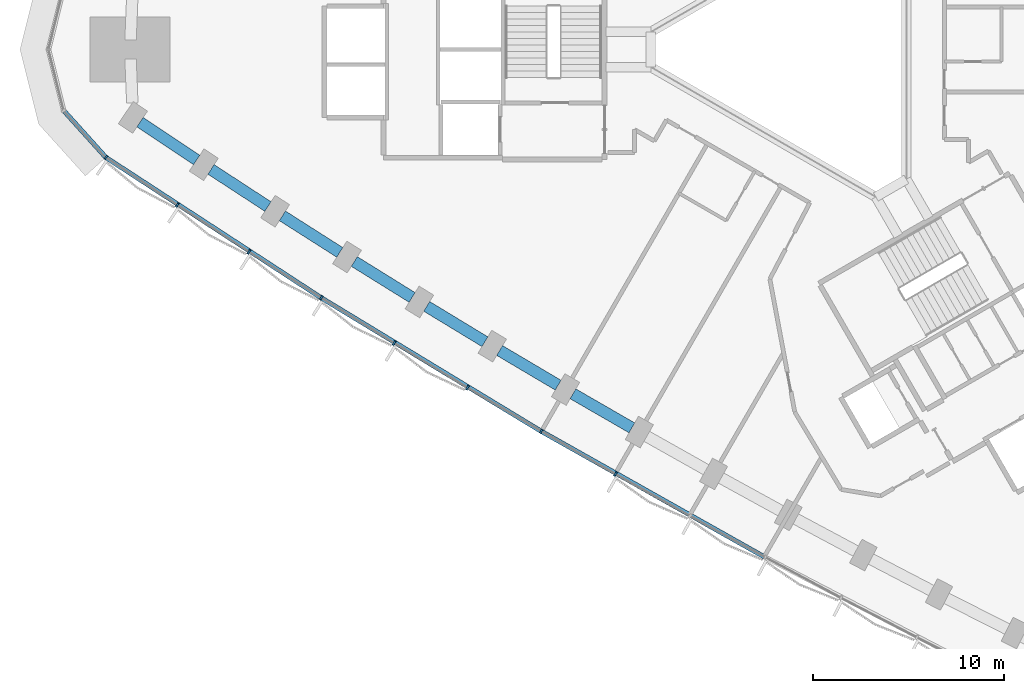
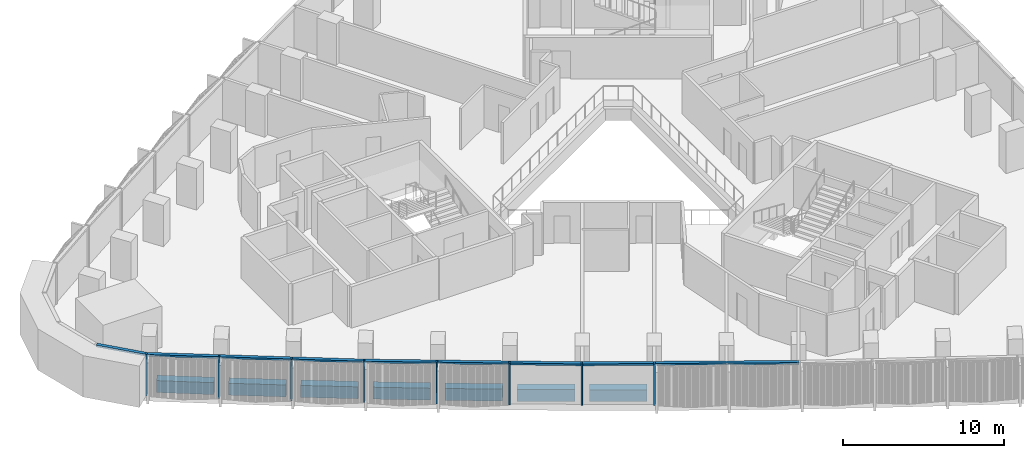
# One storey, part 2 of 15: 12 members, 7 beams, 2 elements without a shape of their own.
"""IFC4 building model written with IfcOpenShell, lengths in metres."""

import ifcopenshell
import ifcopenshell.guid

model = None  # the IFC model being written
_history = None  # IfcOwnerHistory: only IFC2X3 demands one
_inside = {}  # id of a spatial element -> (the spatial element, [elements in it])
_under = {}  # id of a project, library or spatial element -> (it, [spatial elements below it])
_declared = {}  # id of a project -> (the project, [libraries it declares])
_typed = {}  # id of a type object -> (the type object, [elements of that type])
_made_of = {}  # id of a material, layer set ... -> (it, [elements and type objects made of it])


def new_model(schema):
    """Start an empty IFC model of exactly this schema.

    Asked for "IFC4X3", IfcOpenShell would pick the latest addendum, in which some entities
    have other attributes; the version numbers below select the first issue.
    IFC2X3 requires an IfcOwnerHistory on every rooted entity: one is made here for all.
    """
    global model, _history
    if schema == "IFC4X3":
        model = ifcopenshell.file(schema_version=(4, 3, 0, 0))
    else:
        model = ifcopenshell.file(schema=schema)
    _inside.clear()
    _under.clear()
    _declared.clear()
    _typed.clear()
    _made_of.clear()
    _history = None
    if model.schema == "IFC2X3":
        org = make("IfcOrganization", Name="unknown")
        user = make(
            "IfcPersonAndOrganization",
            ThePerson=make("IfcPerson", FamilyName="unknown"),
            TheOrganization=org,
        )
        app = make(
            "IfcApplication",
            ApplicationDeveloper=org,
            Version="unknown",
            ApplicationFullName="unknown",
            ApplicationIdentifier="unknown",
        )
        _history = make(
            "IfcOwnerHistory",
            OwningUser=user,
            OwningApplication=app,
            ChangeAction="ADDED",
            CreationDate=0,
        )
    return model


def make(cls, **values):
    """One entity of the class cls with the attributes given. An attribute that is None is left unset."""
    return model.create_entity(
        cls, **{name: value for name, value in values.items() if value is not None}
    )


def rooted(cls, **values):
    """An entity with a GlobalId (a new one), such as an element, a storey or a relation."""
    return make(cls, GlobalId=ifcopenshell.guid.new(), OwnerHistory=_history, **values)


def si_unit(unit_type, name, prefix=None):
    """IfcSIUnit, for example si_unit("LENGTHUNIT", "METRE", prefix="MILLI")."""
    return make("IfcSIUnit", UnitType=unit_type, Prefix=prefix, Name=name)


def assignment(units):
    """IfcUnitAssignment: the units of a project."""
    return None if units is None else make("IfcUnitAssignment", Units=units)


def point(xyz):
    """IfcCartesianPoint."""
    return None if xyz is None else make("IfcCartesianPoint", Coordinates=xyz)


def direction(xyz):
    """IfcDirection."""
    return None if xyz is None else make("IfcDirection", DirectionRatios=xyz)


def frame(location, z_axis=None, x_axis=None):
    """IfcAxis2Placement3D, a coordinate frame: its origin and axes. An axis left out is left unset."""
    return make(
        "IfcAxis2Placement3D",
        Location=point(location),
        Axis=direction(z_axis),
        RefDirection=direction(x_axis),
    )


def frame_2d(location, x_axis=None):
    """IfcAxis2Placement2D, a coordinate frame in the plane: its origin and x axis."""
    return make(
        "IfcAxis2Placement2D", Location=point(location), RefDirection=direction(x_axis)
    )


def origin():
    """The frame at (0, 0, 0) with its axes left unset."""
    return frame((0.0, 0.0, 0.0))


def origin_2d():
    """The frame at (0, 0) in the plane with its x axis left unset."""
    return frame_2d((0.0, 0.0))


def place(relative_to, where):
    """IfcLocalPlacement: puts the frame where relative to a parent placement (None: the world)."""
    return make(
        "IfcLocalPlacement", PlacementRelTo=relative_to, RelativePlacement=where
    )


def context(
    kind, dimensions, precision=None, world=None, true_north=None, identifier=None
):
    """IfcGeometricRepresentationContext, for example the 3D "Model" context."""
    return make(
        "IfcGeometricRepresentationContext",
        ContextIdentifier=identifier,
        ContextType=kind,
        CoordinateSpaceDimension=dimensions,
        Precision=precision,
        WorldCoordinateSystem=world,
        TrueNorth=true_north,
    )


def subcontext(parent, identifier, kind, view, scale=None):
    """IfcGeometricRepresentationSubContext, for example "Body" below "Model"."""
    return make(
        "IfcGeometricRepresentationSubContext",
        ContextIdentifier=identifier,
        ContextType=kind,
        ParentContext=parent,
        TargetScale=scale,
        TargetView=view,
    )


def project(units=None, contexts=None):
    """IfcProject with its units and contexts."""
    return rooted(
        "IfcProject",
        Name="project",
        RepresentationContexts=contexts,
        UnitsInContext=assignment(units),
    )


def spatial(cls, under=None, at=None, **own):
    """A site, building, storey or space (cls), placed at a placement, below another one or the project."""
    s = rooted(cls, ObjectPlacement=at, **own)
    if under is not None:
        _under.setdefault(under.id(), (under, []))[1].append(s)
    return s


def profile(cls, at=None, kind="AREA", **sizes):
    """A parametric profile (cls). Its sizes go by their IFC names, for example OverallWidth=200.0."""
    return make(cls, ProfileType=kind, Position=at, **sizes)


def rectangle(**sizes):
    """IfcRectangleProfileDef."""
    return profile("IfcRectangleProfileDef", **sizes)


def extrude(swept, where, along, depth):
    """IfcExtrudedAreaSolid: the profile swept, set in the frame where, extruded along a direction by depth."""
    return make(
        "IfcExtrudedAreaSolid",
        SweptArea=swept,
        Position=where,
        ExtrudedDirection=direction(along),
        Depth=depth,
    )


def shape(context_of_items, identifier, shape_type, items):
    """IfcShapeRepresentation: the items that make up one representation, for example the "Body"."""
    return make(
        "IfcShapeRepresentation",
        ContextOfItems=context_of_items,
        RepresentationIdentifier=identifier,
        RepresentationType=shape_type,
        Items=items,
    )


def material(Name=None, Category=None):
    """IfcMaterial."""
    return make("IfcMaterial", Name=Name, Category=Category)


def material_profile(
    of_material, cross_section, Name=None, Category=None, Priority=None
):
    """IfcMaterialProfile: a cross section and its material."""
    return make(
        "IfcMaterialProfile",
        Name=Name,
        Material=of_material,
        Profile=cross_section,
        Priority=Priority,
        Category=Category,
    )


def profile_set(profiles, Name=None, composite=None):
    """IfcMaterialProfileSet."""
    return make(
        "IfcMaterialProfileSet",
        Name=Name,
        MaterialProfiles=profiles,
        CompositeProfile=composite,
    )


def made_of(thing, what):
    """Note that an element or type object is made of a material, layer set ...; save() writes the relation."""
    if what is not None:
        _made_of.setdefault(what.id(), (what, []))[1].append(thing)
    return thing


def type_object(cls, material=None, **own):
    """A type object (cls), such as IfcWallType, which elements share."""
    return made_of(rooted(cls, **own), material)


def element(
    cls,
    number,
    at=None,
    inside=None,
    cuts=None,
    type_object=None,
    material=None,
    context=None,
    identifier="Body",
    shape_type=None,
    held_by="IfcProductDefinitionShape",
    body=None,
    shapes=None,
    **own,
):
    """One element of the class cls, such as IfcWall. Its Tag is "e" and its number.

    at: its placement. inside: the storey or other place that contains it. cuts: it is an
    opening in that element (IfcRelVoidsElement). A single representation is given by context,
    identifier, shape_type and body (its items); several are given by shapes. held_by: the class
    of the entity that holds the representations. save() writes the other relations.
    """
    e = rooted(cls, Tag="e%d" % number, ObjectPlacement=at, **own)
    if body is not None:
        shapes = [shape(context, identifier, shape_type, body)]
    if shapes is not None:
        e.Representation = make(held_by, Representations=shapes)
    if inside is not None:
        _inside.setdefault(inside.id(), (inside, []))[1].append(e)
    if cuts is not None:
        rooted(
            "IfcRelVoidsElement", RelatingBuildingElement=cuts, RelatedOpeningElement=e
        )
    if type_object is not None:
        _typed.setdefault(type_object.id(), (type_object, []))[1].append(e)
    return made_of(e, material)


def aggregate(whole, parts):
    """IfcRelAggregates: a whole, such as a stair, and the parts it consists of."""
    return rooted("IfcRelAggregates", RelatingObject=whole, RelatedObjects=parts)


def save(model, path):
    """Write the relations noted so far, then the file.

    IfcRelAggregates (storeys below a building ...), IfcRelContainedInSpatialStructure (elements
    in a storey), IfcRelDefinesByType, IfcRelAssociatesMaterial and IfcRelDeclares: one each for
    every whole, place, type object, material and project.
    """
    for whole, parts in _under.values():
        aggregate(whole, parts)
    for where, things in _inside.values():
        rooted(
            "IfcRelContainedInSpatialStructure",
            RelatedElements=things,
            RelatingStructure=where,
        )
    for kind, things in _typed.values():
        rooted("IfcRelDefinesByType", RelatedObjects=things, RelatingType=kind)
    for what, things in _made_of.values():
        rooted("IfcRelAssociatesMaterial", RelatedObjects=things, RelatingMaterial=what)
    for by, libraries in _declared.values():
        rooted("IfcRelDeclares", RelatingContext=by, RelatedDefinitions=libraries)
    model.write(path)


model = new_model("IFC4")

# Units and contexts
model_context = context("Model", 3, precision=1e-05, world=origin(), true_north=direction((0.0, 1.0)))
body_context = subcontext(model_context, "Body", "Model", "MODEL_VIEW")
ifc_project = project(units=[si_unit("LENGTHUNIT", "METRE"), si_unit("AREAUNIT", "SQUARE_METRE"), si_unit("VOLUMEUNIT", "CUBIC_METRE"), si_unit("PLANEANGLEUNIT", "RADIAN"), si_unit("MASSUNIT", "GRAM", prefix="KILO")], contexts=[model_context])

# Site, building, storey
site_placement = place(None, origin())
site = spatial("IfcSite", under=ifc_project, at=site_placement, CompositionType="ELEMENT")
building_placement = place(site_placement, origin())
building = spatial("IfcBuilding", under=site, at=building_placement, Name="Tamra Quay Hotel Tower", CompositionType="ELEMENT")
storey_placement = place(building_placement, frame((0.0, 0.0, 63.800048828125)))
storey = spatial("IfcBuildingStorey", under=building, at=storey_placement, Name="L14", CompositionType="ELEMENT", Elevation=63.800048828125)

# Curtain wall, members
ifc_material_1 = material(Name="Aluminium 6063 anodised dark grey", Category="aluminium")
curtain_wall_type_1 = type_object("IfcCurtainWallType", Name="CW3 CURTAIN WALL", PredefinedType="NOTDEFINED", material=ifc_material_1)
curtain_wall_1_placement = place(storey_placement, origin())
curtain_wall_1 = element("IfcCurtainWall", 1, at=curtain_wall_1_placement, inside=storey, type_object=curtain_wall_type_1, Name="CW3 south-west face L14", PredefinedType="NOTDEFINED")
ifc_material_profile_1 = material_profile(ifc_material_1, rectangle(XDim=0.239990234375, YDim=0.10009765625, at=origin_2d()), Name="MULLION 100X240")
ifc_profile_set_1 = profile_set([ifc_material_profile_1], Name="Aluminium 6063 anodised dark grey")
member_type_1 = type_object("IfcMemberType", Name="MULLION CW3 Z1", PredefinedType="MULLION", material=ifc_profile_set_1)
member_1_placement = place(storey_placement, frame((-37.001708984375, -5.6669921875, 0.0), z_axis=(0.0, 0.0, 1.0), x_axis=(-0.654196739281, -0.756324418695, 0.0)))
member_1 = element("IfcMember", 2, at=member_1_placement, type_object=member_type_1, Name="CW3 mullion L14.SW.1", PredefinedType="MULLION", context=body_context, shape_type="SweptSolid", body=[
    extrude(rectangle(XDim=0.239990234375, YDim=0.10009765625, at=origin_2d()), origin(), (0.0, 0.0, 1.0), 3.125),
])
member_2_placement = place(storey_placement, frame((-33.261474609375, -8.162841796875, 0.0), z_axis=(0.0, 0.0, 1.0), x_axis=(-0.550591210923, -0.834775010679, 0.0)))
member_2 = element("IfcMember", 3, at=member_2_placement, type_object=member_type_1, Name="CW3 mullion L14.SW.2", PredefinedType="MULLION", context=body_context, shape_type="SweptSolid", body=[
    extrude(rectangle(XDim=0.239990234375, YDim=0.10009765625, at=origin_2d()), origin(), (0.0, 0.0, 1.0), 3.125),
])
member_3_placement = place(storey_placement, frame((-29.49267578125, -10.61962890625, 0.0), z_axis=(0.0, 0.0, 1.0), x_axis=(-0.541560699791, -0.840661649204, 0.0)))
member_3 = element("IfcMember", 4, at=member_3_placement, type_object=member_type_1, Name="CW3 mullion L14.SW.3", PredefinedType="MULLION", context=body_context, shape_type="SweptSolid", body=[
    extrude(rectangle(XDim=0.239990234375, YDim=0.10009765625, at=origin_2d()), origin(), (0.0, 0.0, 1.0), 3.125),
])
member_4_placement = place(storey_placement, frame((-25.698974609375, -13.03466796875, 0.0), z_axis=(0.0, 0.0, 1.0), x_axis=(-0.532446769932, -0.846463488397, 0.0)))
member_4 = element("IfcMember", 5, at=member_4_placement, type_object=member_type_1, Name="CW3 mullion L14.SW.4", PredefinedType="MULLION", context=body_context, shape_type="SweptSolid", body=[
    extrude(rectangle(XDim=0.239990234375, YDim=0.10009765625, at=origin_2d()), origin(), (0.0, 0.0, 1.0), 3.125),
])
member_5_placement = place(storey_placement, frame((-21.879150390625, -15.40869140625, 0.0), z_axis=(0.0, 0.0, 1.0), x_axis=(-0.523257107809, -0.852174864173, 0.0)))
member_5 = element("IfcMember", 6, at=member_5_placement, type_object=member_type_1, Name="CW3 mullion L14.SW.5", PredefinedType="MULLION", context=body_context, shape_type="SweptSolid", body=[
    extrude(rectangle(XDim=0.239990234375, YDim=0.10009765625, at=origin_2d()), origin(), (0.0, 0.0, 1.0), 3.125),
])
member_6_placement = place(storey_placement, frame((-18.03271484375, -17.741943359375, 0.0), z_axis=(0.0, 0.0, 1.0), x_axis=(-0.514004208519, -0.857787662318, 0.0)))
member_6 = element("IfcMember", 7, at=member_6_placement, type_object=member_type_1, Name="CW3 mullion L14.SW.6", PredefinedType="MULLION", context=body_context, shape_type="SweptSolid", body=[
    extrude(rectangle(XDim=0.239990234375, YDim=0.10009765625, at=origin_2d()), origin(), (0.0, 0.0, 1.0), 3.125),
])
member_7_placement = place(storey_placement, frame((-14.162353515625, -20.03271484375, 0.0), z_axis=(0.0, 0.0, 1.0), x_axis=(-0.504684780346, -0.863303696556, 0.0)))
member_7 = element("IfcMember", 8, at=member_7_placement, type_object=member_type_1, Name="CW3 mullion L14.SW.7", PredefinedType="MULLION", context=body_context, shape_type="SweptSolid", body=[
    extrude(rectangle(XDim=0.239990234375, YDim=0.10009765625, at=origin_2d()), origin(), (0.0, 0.0, 1.0), 3.125),
])
member_8_placement = place(storey_placement, frame((-10.267578125, -22.281494140625, 0.0), z_axis=(0.0, 0.0, 1.0), x_axis=(-0.495300542226, -0.868721688961, 0.0)))
member_8 = element("IfcMember", 9, at=member_8_placement, type_object=member_type_1, Name="CW3 mullion L14.SW.8", PredefinedType="MULLION", context=body_context, shape_type="SweptSolid", body=[
    extrude(rectangle(XDim=0.239990234375, YDim=0.10009765625, at=origin_2d()), origin(), (0.0, 0.0, 1.0), 3.125),
])

# Beams
ifc_material_2 = material(Name="Concrete M60", Category="concrete")
ifc_material_profile_2 = material_profile(ifc_material_2, rectangle(XDim=0.60009765625, YDim=0.89990234375, at=origin_2d()), Name="SPANDREL BEAM RC 600x900")
ifc_profile_set_2 = profile_set([ifc_material_profile_2], Name="Concrete M60")
beam_type = type_object("IfcBeamType", Name="SPANDREL BEAM RC 600x900", PredefinedType="SPANDREL", material=ifc_profile_set_2)
beam_1_placement = place(storey_placement, frame((-35.209228515625, -3.814697265625, -0.925048828125), z_axis=(0.831818807601, -0.555047269448, 0.0), x_axis=(0.555047269448, 0.831818807601, 0.0)))
element("IfcBeam", 10, at=beam_1_placement, inside=storey, type_object=beam_type, Name="BM-SP1-030-L14", PredefinedType="SPANDREL", context=body_context, shape_type="SweptSolid", body=[
    extrude(rectangle(XDim=0.60009765625, YDim=0.89990234375, at=origin_2d()), origin(), (0.0, 0.0, 1.0), 3.57080078125),
])
beam_2_placement = place(storey_placement, frame((-31.48779296875, -6.292236328125, -0.925048828125), z_axis=(0.837739819239, -0.546069588296, 0.0), x_axis=(0.546069588296, 0.837739819239, 0.0)))
element("IfcBeam", 11, at=beam_2_placement, inside=storey, type_object=beam_type, Name="BM-SP1-031-L14", PredefinedType="SPANDREL", context=body_context, shape_type="SweptSolid", body=[
    extrude(rectangle(XDim=0.60009765625, YDim=0.89990234375, at=origin_2d()), origin(), (0.0, 0.0, 1.0), 3.570068359375),
])
beam_3_placement = place(storey_placement, frame((-27.740478515625, -8.729248046875, -0.925048828125), z_axis=(0.843593906333, -0.53698167678, 0.0), x_axis=(0.53698167678, 0.843593906333, 0.0)))
element("IfcBeam", 12, at=beam_3_placement, inside=storey, type_object=beam_type, Name="BM-SP1-032-L14", PredefinedType="SPANDREL", context=body_context, shape_type="SweptSolid", body=[
    extrude(rectangle(XDim=0.60009765625, YDim=0.89990234375, at=origin_2d()), origin(), (0.0, 0.0, 1.0), 3.5703125),
])
beam_4_placement = place(storey_placement, frame((-23.966552734375, -11.125732421875, -0.925048828125), z_axis=(0.849320953317, -0.527876802158, 0.0), x_axis=(0.527876802158, 0.849320953317, 0.0)))
element("IfcBeam", 13, at=beam_4_placement, inside=storey, type_object=beam_type, Name="BM-SP1-033-L14", PredefinedType="SPANDREL", context=body_context, shape_type="SweptSolid", body=[
    extrude(rectangle(XDim=0.60009765625, YDim=0.89990234375, at=origin_2d()), origin(), (0.0, 0.0, 1.0), 3.570556640625),
])
beam_5_placement = place(storey_placement, frame((-20.1669921875, -13.4814453125, -0.925048828125), z_axis=(0.854966252085, -0.518683629775, 0.0), x_axis=(0.518683629775, 0.854966252085, 0.0)))
element("IfcBeam", 14, at=beam_5_placement, inside=storey, type_object=beam_type, Name="BM-SP1-034-L14", PredefinedType="SPANDREL", context=body_context, shape_type="SweptSolid", body=[
    extrude(rectangle(XDim=0.60009765625, YDim=0.89990234375, at=origin_2d()), origin(), (0.0, 0.0, 1.0), 3.56982421875),
])
beam_6_placement = place(storey_placement, frame((-16.3427734375, -15.79541015625, -0.925048828125), z_axis=(0.860524689034, -0.509408735264, 0.0), x_axis=(0.509408735264, 0.860524689034, 0.0)))
element("IfcBeam", 15, at=beam_6_placement, inside=storey, type_object=beam_type, Name="BM-SP1-035-L14", PredefinedType="SPANDREL", context=body_context, shape_type="SweptSolid", body=[
    extrude(rectangle(XDim=0.60009765625, YDim=0.89990234375, at=origin_2d()), origin(), (0.0, 0.0, 1.0), 3.570556640625),
])
beam_7_placement = place(storey_placement, frame((-12.493408203125, -18.068359375, -0.925048828125), z_axis=(0.866017069707, -0.500014434768, 0.0), x_axis=(0.500014434768, 0.866017069707, 0.0)))
element("IfcBeam", 16, at=beam_7_placement, inside=storey, type_object=beam_type, Name="BM-SP1-036-L14", PredefinedType="SPANDREL", context=body_context, shape_type="SweptSolid", body=[
    extrude(rectangle(XDim=0.60009765625, YDim=0.89990234375, at=origin_2d()), origin(), (0.0, 0.0, 1.0), 3.57080078125),
])

# Curtain wall, member
curtain_wall_type_2 = type_object("IfcCurtainWallType", Name="CW2 CURTAIN WALL", PredefinedType="NOTDEFINED", material=ifc_material_1)
curtain_wall_2_placement = place(storey_placement, origin())
curtain_wall_2 = element("IfcCurtainWall", 17, at=curtain_wall_2_placement, inside=storey, type_object=curtain_wall_type_2, Name="CW2 north-west face L14", PredefinedType="NOTDEFINED")
ifc_material_profile_3 = material_profile(ifc_material_1, rectangle(XDim=0.239990234375, YDim=0.139892578125, at=origin_2d()), Name="TRANSOM 240X140")
ifc_profile_set_3 = profile_set([ifc_material_profile_3], Name="Aluminium 6063 anodised dark grey")
member_type_2 = type_object("IfcMemberType", Name="TRANSOM CW2 Z1", PredefinedType="USERDEFINED", material=ifc_profile_set_3)
member_9_placement = place(storey_placement, frame((-39.18115234375, -3.246337890625, 3.054931640625), z_axis=(0.669103504087, -0.743169227577, 0.0), x_axis=(0.743169227577, 0.669103504087, 0.0)))
member_9 = element("IfcMember", 18, at=member_9_placement, type_object=member_type_2, Name="CW2 transom L14.NW.17", ObjectType="TRANSOM", PredefinedType="USERDEFINED", context=body_context, shape_type="SweptSolid", body=[
    extrude(rectangle(XDim=0.239990234375, YDim=0.139892578125, at=origin_2d()), origin(), (0.0, 0.0, 1.0), 3.207275390625),
])
aggregate(curtain_wall_2, [member_9])

# Member
ifc_material_profile_4 = material_profile(ifc_material_1, rectangle(XDim=0.239990234375, YDim=0.139892578125, at=origin_2d()), Name="TRANSOM 240X140")
ifc_profile_set_4 = profile_set([ifc_material_profile_4], Name="Aluminium 6063 anodised dark grey")
member_type_3 = type_object("IfcMemberType", Name="TRANSOM CW3 Z1", PredefinedType="USERDEFINED", material=ifc_profile_set_4)
member_10_placement = place(storey_placement, frame((-36.9599609375, -5.69482421875, 3.054931640625), z_axis=(0.837738597212, -0.546071463036, 0.0), x_axis=(0.546071463036, 0.837738597212, 0.0)))
member_10 = element("IfcMember", 19, at=member_10_placement, type_object=member_type_3, Name="CW3 transom L14.SW.1", ObjectType="TRANSOM", PredefinedType="USERDEFINED", context=body_context, shape_type="SweptSolid", body=[
    extrude(rectangle(XDim=0.239990234375, YDim=0.139892578125, at=origin_2d()), origin(), (0.0, 0.0, 1.0), 13.39208984375),
])

member_11_placement = place(storey_placement, frame((-25.656494140625, -13.061279296875, 3.054931640625), z_axis=(0.854996255935, -0.518634170044, 0.0), x_axis=(0.518634170044, 0.854996255935, 0.0)))
member_11 = element("IfcMember", 20, at=member_11_placement, type_object=member_type_3, Name="CW3 transom L14.SW.4", ObjectType="TRANSOM", PredefinedType="USERDEFINED", context=body_context, shape_type="SweptSolid", body=[
    extrude(rectangle(XDim=0.239990234375, YDim=0.139892578125, at=origin_2d()), origin(), (0.0, 0.0, 1.0), 13.39306640625),
])

member_12_placement = place(storey_placement, frame((-14.119140625, -20.057861328125, 3.054931640625), z_axis=(0.871397788328, -0.490577103518, 0.0), x_axis=(0.490577103518, 0.871397788328, 0.0)))
member_12 = element("IfcMember", 21, at=member_12_placement, type_object=member_type_3, Name="CW3 transom L14.SW.7", ObjectType="TRANSOM", PredefinedType="USERDEFINED", context=body_context, shape_type="SweptSolid", body=[
    extrude(rectangle(XDim=0.239990234375, YDim=0.139892578125, at=origin_2d()), origin(), (0.0, 0.0, 1.0), 13.39306640625),
])

aggregate(curtain_wall_1, [member_1, member_10, member_2, member_3, member_4, member_11, member_5, member_6, member_7, member_12, member_8])

save(model, "model.ifc")
